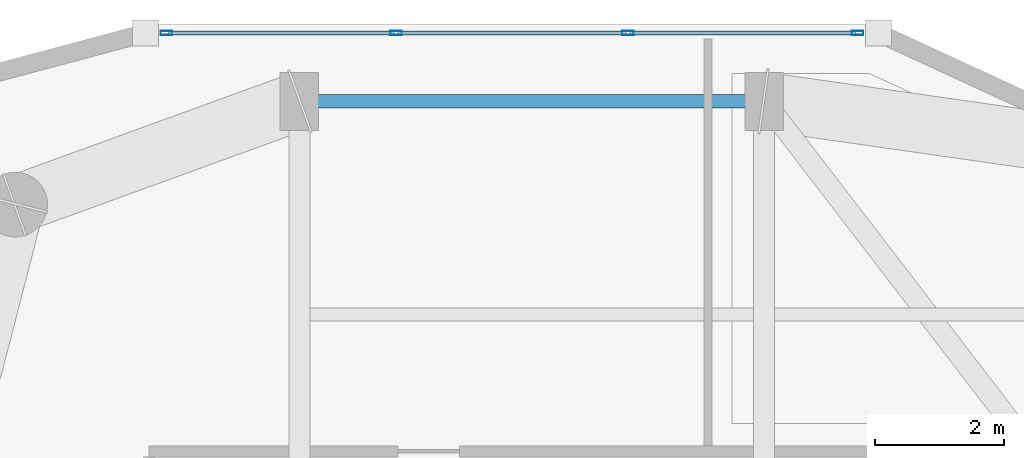
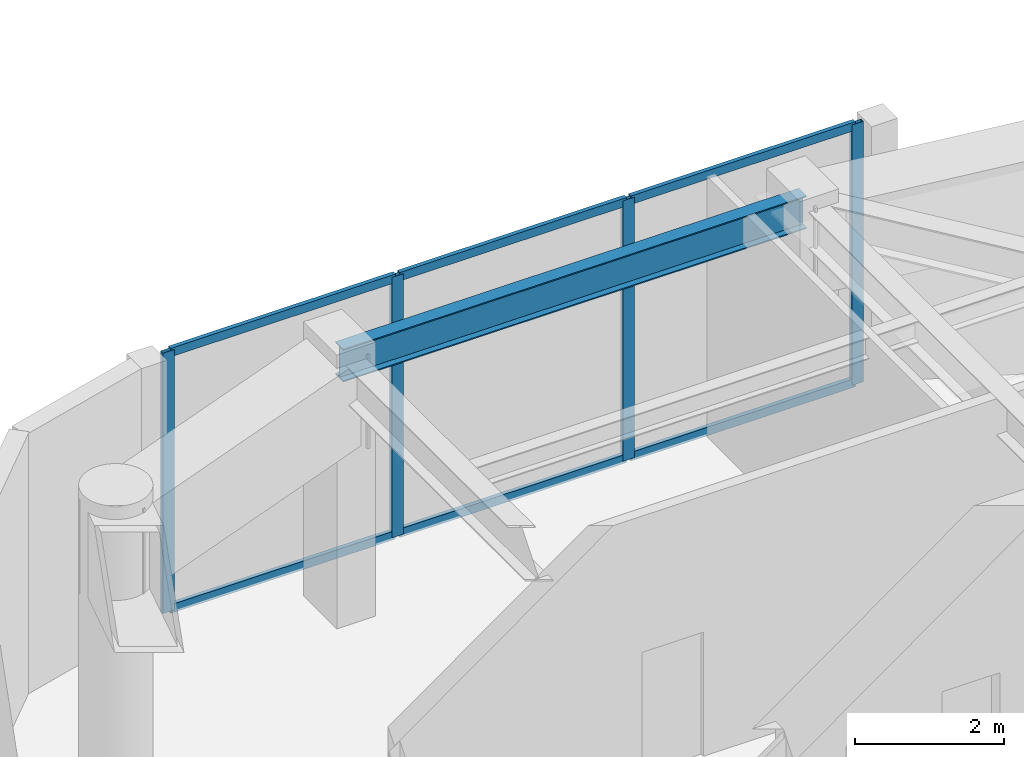
# One storey, part 6 of 16: 10 members, 1 beam, 1 element without a shape of its own.
"""IFC4 building model written with IfcOpenShell, lengths in metres."""

from ifc_helpers import new_model, si_unit, direction, frame, origin, origin_2d, place, context, subcontext, project, spatial, hollow_rectangle, i_section, extrude, material, layer, layer_set, material_profile, profile_set, type_object, element, aggregate, save


model = new_model("IFC4")

# Units and contexts
model_context = context("Model", 3, precision=1e-05, world=origin(), true_north=direction((0.0, 1.0)))
body_context = subcontext(model_context, "Body", "Model", "MODEL_VIEW")
ifc_project = project(units=[si_unit("LENGTHUNIT", "METRE"), si_unit("AREAUNIT", "SQUARE_METRE"), si_unit("VOLUMEUNIT", "CUBIC_METRE"), si_unit("PLANEANGLEUNIT", "RADIAN"), si_unit("MASSUNIT", "GRAM", prefix="KILO")], contexts=[model_context])

# Site, building, storey
site_placement = place(None, origin())
site = spatial("IfcSite", under=ifc_project, at=site_placement, CompositionType="ELEMENT")
building_placement = place(site_placement, origin())
building = spatial("IfcBuilding", under=site, at=building_placement, Name="Kiyonajd Concourse Tower", CompositionType="ELEMENT")
storey_placement = place(building_placement, frame((0.0, 0.0, 337.5)))
storey = spatial("IfcBuildingStorey", under=building, at=storey_placement, Name="L85", CompositionType="ELEMENT", Elevation=337.5)

# Beam
ifc_material_1 = material(Name="Steel ASTM A992 Grade 50", Category="steel")
ifc_material_profile_1 = material_profile(ifc_material_1, i_section(OverallWidth=0.2109375, OverallDepth=0.5390625, WebThickness=0.01171875, FlangeThickness=0.018798828125, at=origin_2d()), Name="W530X109")
ifc_profile_set_1 = profile_set([ifc_material_profile_1], Name="Steel ASTM A992 Grade 50")
beam_type = type_object("IfcBeamType", Name="BM-SPAN-530B", PredefinedType="SPANDREL", material=ifc_profile_set_1)
beam_placement = place(storey_placement, frame((39.60009765625, 52.199951171875, 4.010498046875), z_axis=(-1.0, 0.0, 0.0), x_axis=(0.0, -1.0, 0.0)))
element("IfcBeam", 1, at=beam_placement, inside=storey, type_object=beam_type, Name="L85 Perimeter Bundled Tube Spandrel", PredefinedType="SPANDREL", context=body_context, shape_type="SweptSolid", body=[
    extrude(i_section(OverallWidth=0.2109375, OverallDepth=0.5390625, WebThickness=0.01171875, FlangeThickness=0.018798828125, at=origin_2d()), origin(), (0.0, 0.0, 1.0), 7.2001953125),
])

# Curtain wall, members
ifc_material_2 = material(Name="Thermally Broken Anodised Aluminium", Category="aluminium")
ifc_layer = layer(ifc_material_2, 0.179931640625)
ifc_layer_set = layer_set([ifc_layer], Name="Thermally Broken Anodised Aluminium")
curtain_wall_type = type_object("IfcCurtainWallType", Name="CW-SYS-04", PredefinedType="NOTDEFINED", material=ifc_layer_set)
curtain_wall_placement = place(storey_placement, origin())
curtain_wall = element("IfcCurtainWall", 2, at=curtain_wall_placement, inside=storey, type_object=curtain_wall_type, Name="L85 Unitised Curtain Wall CW4", PredefinedType="NOTDEFINED")
ifc_material_profile_2 = material_profile(ifc_material_2, hollow_rectangle(XDim=0.06494140625, YDim=0.179931640625, WallThickness=0.00390625, at=origin_2d()), Name="MULL-65x180")
ifc_profile_set_2 = profile_set([ifc_material_profile_2], Name="Thermally Broken Anodised Aluminium")
member_type_1 = type_object("IfcMemberType", Name="MB-CW-MULL1", PredefinedType="MULLION", material=ifc_profile_set_2)
member_1_placement = place(storey_placement, frame((30.3408203125, 53.260009765625, 0.0), z_axis=(0.0, 0.0, 1.0), x_axis=(0.0, 1.0, 0.0)))
member_1 = element("IfcMember", 3, at=member_1_placement, type_object=member_type_1, Name="CW4 mullion 1", PredefinedType="MULLION", context=body_context, shape_type="SweptSolid", body=[
    extrude(hollow_rectangle(XDim=0.06494140625, YDim=0.179931640625, WallThickness=0.00390625, at=origin_2d()), origin(), (0.0, 0.0, 1.0), 4.280029296875),
])
member_2_placement = place(storey_placement, frame((33.898681640625, 53.260009765625, 0.0), z_axis=(0.0, 0.0, 1.0), x_axis=(0.0, 1.0, 0.0)))
member_2 = element("IfcMember", 4, at=member_2_placement, type_object=member_type_1, Name="CW4 mullion 2", PredefinedType="MULLION", context=body_context, shape_type="SweptSolid", body=[
    extrude(hollow_rectangle(XDim=0.06494140625, YDim=0.179931640625, WallThickness=0.00390625, at=origin_2d()), origin(), (0.0, 0.0, 1.0), 4.280029296875),
])
member_3_placement = place(storey_placement, frame((37.489013671875, 53.260009765625, 0.0), z_axis=(0.0, 0.0, 1.0), x_axis=(0.0, 1.0, 0.0)))
member_3 = element("IfcMember", 5, at=member_3_placement, type_object=member_type_1, Name="CW4 mullion 3", PredefinedType="MULLION", context=body_context, shape_type="SweptSolid", body=[
    extrude(hollow_rectangle(XDim=0.06494140625, YDim=0.179931640625, WallThickness=0.00390625, at=origin_2d()), origin(), (0.0, 0.0, 1.0), 4.280029296875),
])
member_4_placement = place(storey_placement, frame((41.046875, 53.260009765625, 0.0), z_axis=(0.0, 0.0, 1.0), x_axis=(0.0, 1.0, 0.0)))
member_4 = element("IfcMember", 6, at=member_4_placement, type_object=member_type_1, Name="CW4 mullion 4", PredefinedType="MULLION", context=body_context, shape_type="SweptSolid", body=[
    extrude(hollow_rectangle(XDim=0.06494140625, YDim=0.179931640625, WallThickness=0.00390625, at=origin_2d()), origin(), (0.0, 0.0, 1.0), 4.280029296875),
])
ifc_material_profile_3 = material_profile(ifc_material_2, hollow_rectangle(XDim=0.06494140625, YDim=0.139892578125, WallThickness=0.00390625, at=origin_2d()), Name="TRAN-65x140")
ifc_profile_set_3 = profile_set([ifc_material_profile_3], Name="Thermally Broken Anodised Aluminium")
member_type_2 = type_object("IfcMemberType", Name="MB-CW-TRAN1", PredefinedType="USERDEFINED", material=ifc_profile_set_3)
member_5_placement = place(storey_placement, frame((30.373291015625, 53.260009765625, 0.032470703125), z_axis=(1.0, 0.0, 0.0), x_axis=(0.0, 1.0, 0.0)))
member_5 = element("IfcMember", 7, at=member_5_placement, type_object=member_type_2, Name="CW4 transom 1.1", ObjectType="TRANSOM", PredefinedType="USERDEFINED", context=body_context, shape_type="SweptSolid", body=[
    extrude(hollow_rectangle(XDim=0.06494140625, YDim=0.139892578125, WallThickness=0.00390625, at=origin_2d()), origin(), (0.0, 0.0, 1.0), 3.492919921875),
])
member_6_placement = place(storey_placement, frame((30.373291015625, 53.260009765625, 4.24755859375), z_axis=(1.0, 0.0, 0.0), x_axis=(0.0, 1.0, 0.0)))
member_6 = element("IfcMember", 8, at=member_6_placement, type_object=member_type_2, Name="CW4 transom 1.2", ObjectType="TRANSOM", PredefinedType="USERDEFINED", context=body_context, shape_type="SweptSolid", body=[
    extrude(hollow_rectangle(XDim=0.06494140625, YDim=0.139892578125, WallThickness=0.00390625, at=origin_2d()), origin(), (0.0, 0.0, 1.0), 3.492919921875),
])
member_7_placement = place(storey_placement, frame((33.93115234375, 53.260009765625, 0.032470703125), z_axis=(1.0, 0.0, 0.0), x_axis=(0.0, 1.0, 0.0)))
member_7 = element("IfcMember", 9, at=member_7_placement, type_object=member_type_2, Name="CW4 transom 2.1", ObjectType="TRANSOM", PredefinedType="USERDEFINED", context=body_context, shape_type="SweptSolid", body=[
    extrude(hollow_rectangle(XDim=0.06494140625, YDim=0.139892578125, WallThickness=0.00390625, at=origin_2d()), origin(), (0.0, 0.0, 1.0), 3.525390625),
])
member_8_placement = place(storey_placement, frame((33.93115234375, 53.260009765625, 4.24755859375), z_axis=(1.0, 0.0, 0.0), x_axis=(0.0, 1.0, 0.0)))
member_8 = element("IfcMember", 10, at=member_8_placement, type_object=member_type_2, Name="CW4 transom 2.2", ObjectType="TRANSOM", PredefinedType="USERDEFINED", context=body_context, shape_type="SweptSolid", body=[
    extrude(hollow_rectangle(XDim=0.06494140625, YDim=0.139892578125, WallThickness=0.00390625, at=origin_2d()), origin(), (0.0, 0.0, 1.0), 3.525390625),
])
member_9_placement = place(storey_placement, frame((37.521484375, 53.260009765625, 0.032470703125), z_axis=(1.0, 0.0, 0.0), x_axis=(0.0, 1.0, 0.0)))
member_9 = element("IfcMember", 11, at=member_9_placement, type_object=member_type_2, Name="CW4 transom 3.1", ObjectType="TRANSOM", PredefinedType="USERDEFINED", context=body_context, shape_type="SweptSolid", body=[
    extrude(hollow_rectangle(XDim=0.06494140625, YDim=0.139892578125, WallThickness=0.00390625, at=origin_2d()), origin(), (0.0, 0.0, 1.0), 3.492919921875),
])
member_10_placement = place(storey_placement, frame((37.521484375, 53.260009765625, 4.24755859375), z_axis=(1.0, 0.0, 0.0), x_axis=(0.0, 1.0, 0.0)))
member_10 = element("IfcMember", 12, at=member_10_placement, type_object=member_type_2, Name="CW4 transom 3.2", ObjectType="TRANSOM", PredefinedType="USERDEFINED", context=body_context, shape_type="SweptSolid", body=[
    extrude(hollow_rectangle(XDim=0.06494140625, YDim=0.139892578125, WallThickness=0.00390625, at=origin_2d()), origin(), (0.0, 0.0, 1.0), 3.492919921875),
])
aggregate(curtain_wall, [member_1, member_2, member_3, member_4, member_5, member_6, member_7, member_8, member_9, member_10])

save(model, "model.ifc")
